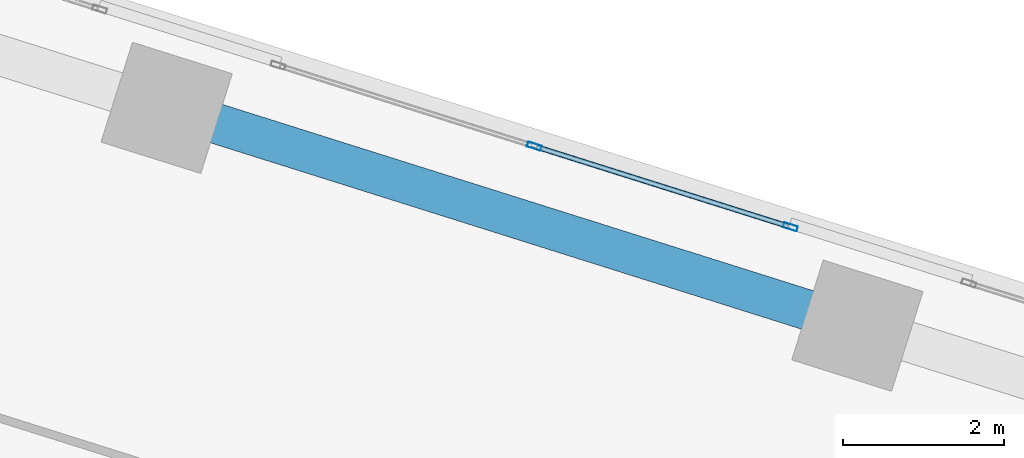
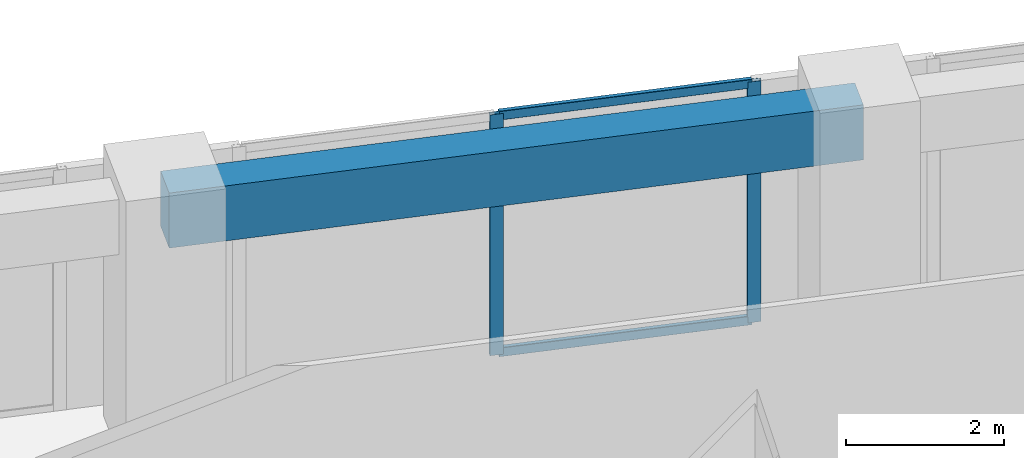
# One storey, part 15 of 28: 4 members, 1 beam, 1 element without a shape of its own.
"""IFC4 building model written with IfcOpenShell, lengths in metres."""

from ifc_helpers import new_model, si_unit, direction, frame, origin, origin_2d, place, context, subcontext, project, spatial, rectangle, hollow_rectangle, extrude, source, transform, mapped, material, material_profile, profile_set, type_object, element, aggregate, save


model = new_model("IFC4")

# Units and contexts
model_context = context("Model", 3, precision=1e-05, world=origin(), true_north=direction((0.0, 1.0)))
body_context = subcontext(model_context, "Body", "Model", "MODEL_VIEW")
ifc_project = project(units=[si_unit("LENGTHUNIT", "METRE"), si_unit("AREAUNIT", "SQUARE_METRE"), si_unit("VOLUMEUNIT", "CUBIC_METRE"), si_unit("PLANEANGLEUNIT", "RADIAN"), si_unit("MASSUNIT", "GRAM", prefix="KILO")], contexts=[model_context])

# Site, building, storey
site_placement = place(None, origin())
site = spatial("IfcSite", under=ifc_project, at=site_placement, CompositionType="ELEMENT")
building_placement = place(site_placement, origin())
building = spatial("IfcBuilding", under=site, at=building_placement, Name="Torre Montelarca", CompositionType="ELEMENT")
storey_placement = place(building_placement, frame((0.0, 0.0, 112.60009765625)))
storey = spatial("IfcBuildingStorey", under=building, at=storey_placement, Name="L25", CompositionType="ELEMENT", Elevation=112.60009765625)

# Beam
ifc_material_1 = material(Name="Concrete C55/67", Category="concrete")
ifc_material_profile_1 = material_profile(ifc_material_1, rectangle(XDim=0.5, YDim=0.85009765625, at=origin_2d()), Name="RCB500X850", Category="concrete")
ifc_profile_set_1 = profile_set([ifc_material_profile_1], Name="Concrete C55/67")
beam_type = type_object("IfcBeamType", Name="BM-SP-RC850-EXT", PredefinedType="SPANDREL", material=ifc_profile_set_1)
shared_shape_1 = source(origin(), body_context, "Body", "SweptSolid", [
    extrude(rectangle(XDim=0.5, YDim=0.85009765625, at=origin_2d()), origin(), (0.0, 0.0, 1.0), 8.999755859375),
])
beam_placement = place(storey_placement, frame((22.7177734375, 47.501220703125, 3.534912109375), z_axis=(0.953716635826, -0.300706798308, 0.0), x_axis=(0.300706798308, 0.953716635826, 0.0)))
element("IfcBeam", 1, at=beam_placement, inside=storey, type_object=beam_type, Name="L25 Grid Girder X 18.0-27.0 at Y=47.1", PredefinedType="SPANDREL", context=body_context, shape_type="MappedRepresentation", body=[
    mapped(shared_shape_1, transform((0.0, 0.0, 0.0), scale=1.0)),
])

# Curtain wall, members
ifc_material_2 = material(Name="Insulated low-E laminated glass", Category="glass")
curtain_wall_type = type_object("IfcCurtainWallType", Name="CW-SYS-Z1", PredefinedType="USERDEFINED", material=ifc_material_2)
curtain_wall_placement = place(storey_placement, origin())
curtain_wall = element("IfcCurtainWall", 2, at=curtain_wall_placement, inside=storey, type_object=curtain_wall_type, Name="L25 Curtain Wall Run CW-T3-L25-E08-B3", ObjectType="UNITISED GLAZING", PredefinedType="USERDEFINED")
ifc_material_3 = material(Name="Anodised aluminium AA 6063-T6", Category="aluminium")
ifc_material_profile_2 = material_profile(ifc_material_3, hollow_rectangle(XDim=0.06494140625, YDim=0.179931640625, WallThickness=0.00390625, InnerFilletRadius=0.00390625, OuterFilletRadius=0.008056640625, at=origin_2d()), Name="ALU65X180X4", Category="aluminium")
ifc_profile_set_2 = profile_set([ifc_material_profile_2], Name="Anodised aluminium AA 6063-T6")
member_type_1 = type_object("IfcMemberType", Name="CWM-ALU180", PredefinedType="MULLION", material=ifc_profile_set_2)
shared_shape_2 = source(origin(), body_context, "Body", "SweptSolid", [
    extrude(hollow_rectangle(XDim=0.06494140625, YDim=0.179931640625, WallThickness=0.00390625, InnerFilletRadius=0.00390625, OuterFilletRadius=0.008056640625, at=origin_2d()), origin(), (0.0, 0.0, 1.0), 3.719970703125),
])
member_1_placement = place(storey_placement, frame((30.468994140625, 46.02197265625, 0.0), z_axis=(0.0, 0.0, 1.0), x_axis=(-0.300709558589, -0.953715765505, 0.0)))
member_1 = element("IfcMember", 3, at=member_1_placement, type_object=member_type_1, Name="CW mullion 1", PredefinedType="MULLION", context=body_context, shape_type="MappedRepresentation", body=[
    mapped(shared_shape_2, transform((0.0, 0.0, 0.0), scale=1.0)),
])
member_2_placement = place(storey_placement, frame((27.2861328125, 47.025390625, 0.0), z_axis=(0.0, 0.0, 1.0), x_axis=(-0.300709558589, -0.953715765505, 0.0)))
member_2 = element("IfcMember", 4, at=member_2_placement, type_object=member_type_1, Name="CW mullion 2", PredefinedType="MULLION", context=body_context, shape_type="MappedRepresentation", body=[
    mapped(shared_shape_2, transform((0.0, 0.0, 0.0), scale=1.0)),
])
ifc_material_profile_3 = material_profile(ifc_material_3, hollow_rectangle(XDim=0.06494140625, YDim=0.139892578125, WallThickness=0.00390625, InnerFilletRadius=0.00390625, OuterFilletRadius=0.008056640625, at=origin_2d()), Name="ALU65X140X4", Category="aluminium")
ifc_profile_set_3 = profile_set([ifc_material_profile_3], Name="Anodised aluminium AA 6063-T6")
member_type_2 = type_object("IfcMemberType", Name="CWT-ALU140", PredefinedType="USERDEFINED", material=ifc_profile_set_3)
shared_shape_3 = source(origin(), body_context, "Body", "SweptSolid", [
    extrude(hollow_rectangle(XDim=0.06494140625, YDim=0.139892578125, WallThickness=0.00390625, InnerFilletRadius=0.00390625, OuterFilletRadius=0.008056640625, at=origin_2d()), origin(), (0.0, 0.0, 1.0), 3.272216796875),
])
member_3_placement = place(storey_placement, frame((30.43798828125, 46.03173828125, 0.032470703125), z_axis=(-0.953726887377, 0.300674282729, 0.0), x_axis=(-0.300674282729, -0.953726887377, 0.0)))
member_3 = element("IfcMember", 5, at=member_3_placement, type_object=member_type_2, Name="CW transom 1.1", ObjectType="TRANSOM", PredefinedType="USERDEFINED", context=body_context, shape_type="MappedRepresentation", body=[
    mapped(shared_shape_3, transform((0.0, 0.0, 0.0), scale=1.0)),
])
member_4_placement = place(storey_placement, frame((30.43798828125, 46.03173828125, 3.6875), z_axis=(-0.953726887377, 0.300674282729, 0.0), x_axis=(-0.300674282729, -0.953726887377, 0.0)))
member_4 = element("IfcMember", 6, at=member_4_placement, type_object=member_type_2, Name="CW transom 1.2", ObjectType="TRANSOM", PredefinedType="USERDEFINED", context=body_context, shape_type="MappedRepresentation", body=[
    mapped(shared_shape_3, transform((0.0, 0.0, 0.0), scale=1.0)),
])
aggregate(curtain_wall, [member_1, member_2, member_3, member_4])

save(model, "model.ifc")
